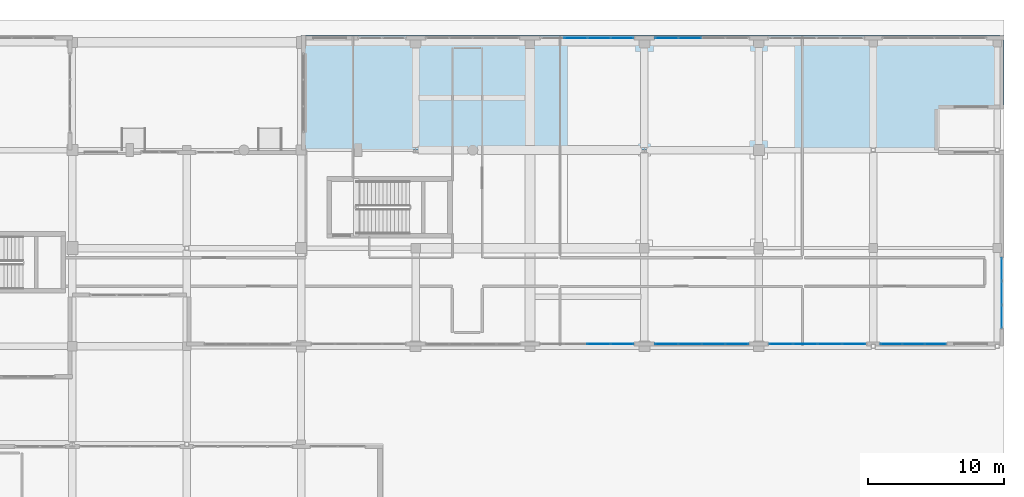
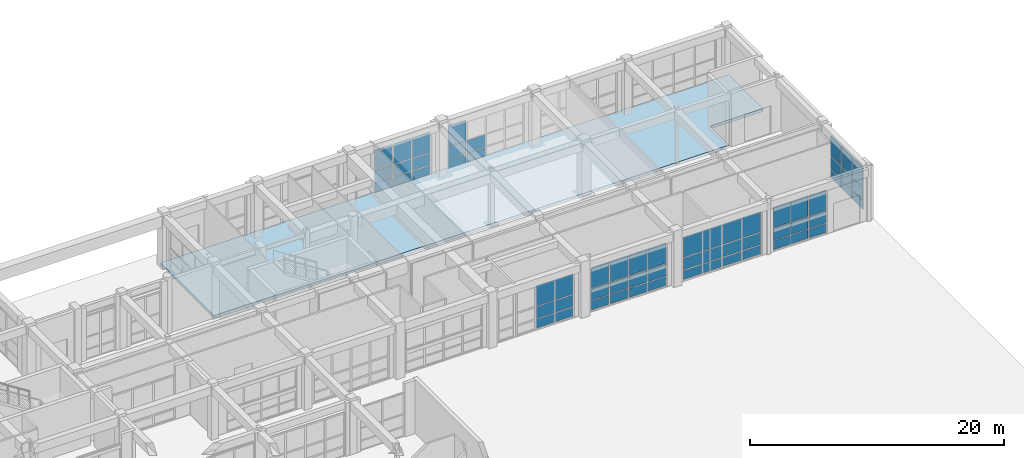
# One storey, part 122 of 148: 62 plates, 1 slab, 7 elements without a shape of their own.
"""IFC4 building model written with IfcOpenShell, lengths in metres."""

from ifc_helpers import new_model, si_unit, direction, frame, origin, origin_2d, place, context, subcontext, project, spatial, polyline, rectangle, outline, extrude, material, layer, layer_set, type_object, element, aggregate, save


model = new_model("IFC4")

# Units and contexts
model_context = context("Model", 3, precision=1e-05, world=origin(), true_north=direction((0.0, 1.0)))
body_context = subcontext(model_context, "Body", "Model", "MODEL_VIEW")
ifc_project = project(units=[si_unit("LENGTHUNIT", "METRE"), si_unit("AREAUNIT", "SQUARE_METRE"), si_unit("VOLUMEUNIT", "CUBIC_METRE"), si_unit("PLANEANGLEUNIT", "RADIAN"), si_unit("MASSUNIT", "GRAM", prefix="KILO")], contexts=[model_context])

# Site, building, storey
site_placement = place(None, origin())
site = spatial("IfcSite", under=ifc_project, at=site_placement, CompositionType="ELEMENT")
building_placement = place(site_placement, origin())
building = spatial("IfcBuilding", under=site, at=building_placement, Name="Quendrovan Civic Courthouse", CompositionType="ELEMENT")
storey_placement = place(building_placement, origin())
storey = spatial("IfcBuildingStorey", under=building, at=storey_placement, Name="L01", CompositionType="ELEMENT", Elevation=0.0)

# Curtain wall, plates
ifc_material_1 = material(Name="Bronze anodised aluminium and low-E glass", Category="aluminium")
ifc_layer_1 = layer(ifc_material_1, 0.179931640625, Name="Bronze anodised aluminium and low-E glass")
ifc_layer_set_1 = layer_set([ifc_layer_1], Name="Bronze anodised aluminium and low-E glass")
curtain_wall_type_1 = type_object("IfcCurtainWallType", Name="CW-U72x42", PredefinedType="USERDEFINED", material=ifc_layer_set_1)
curtain_wall_1_placement = place(storey_placement, origin())
curtain_wall_1 = element("IfcCurtainWall", 1, at=curtain_wall_1_placement, inside=storey, type_object=curtain_wall_type_1, Name="L01 Unitised Hurricane Curtain Wall CW-044", ObjectType="UNITISED CURTAIN WALL", PredefinedType="USERDEFINED")
ifc_material_2 = material(Name="Laminated hurricane-impact low-E glass", Category="glass")
ifc_layer_2 = layer(ifc_material_2, 0.028076171875, Name="Laminated hurricane-impact low-E glass")
ifc_layer_set_2 = layer_set([ifc_layer_2], Name="Laminated hurricane-impact low-E glass")
plate_type_1 = type_object("IfcPlateType", Name="CW-PNL-1", PredefinedType="CURTAIN_PANEL", material=ifc_layer_set_2)
plate_1_placement = place(storey_placement, frame((149.78564453125, 87.764892578125, 0.06982421875), z_axis=(0.0, 0.0, 1.0), x_axis=(-1.0, 0.0, 0.0)))
plate_1 = element("IfcPlate", 2, at=plate_1_placement, type_object=plate_type_1, Name="CW-044 panel 1.1", PredefinedType="CURTAIN_PANEL", context=body_context, shape_type="SweptSolid", body=[
    extrude(rectangle(XDim=1.688720703125, YDim=0.028076171875, at=origin_2d()), origin(), (0.0, 0.0, 1.0), 0.844970703125),
])
plate_2_placement = place(storey_placement, frame((149.78564453125, 87.764892578125, 0.985107421875), z_axis=(0.0, 0.0, 1.0), x_axis=(-1.0, 0.0, 0.0)))
plate_2 = element("IfcPlate", 3, at=plate_2_placement, type_object=plate_type_1, Name="CW-044 panel 1.2", PredefinedType="CURTAIN_PANEL", context=body_context, shape_type="SweptSolid", body=[
    extrude(rectangle(XDim=1.688720703125, YDim=0.028076171875, at=origin_2d()), origin(), (0.0, 0.0, 1.0), 1.1298828125),
])
plate_3_placement = place(storey_placement, frame((149.78564453125, 87.764892578125, 2.18505859375), z_axis=(0.0, 0.0, 1.0), x_axis=(-1.0, 0.0, 0.0)))
plate_3 = element("IfcPlate", 4, at=plate_3_placement, type_object=plate_type_1, Name="CW-044 panel 1.3", PredefinedType="CURTAIN_PANEL", context=body_context, shape_type="SweptSolid", body=[
    extrude(rectangle(XDim=1.688720703125, YDim=0.028076171875, at=origin_2d()), origin(), (0.0, 0.0, 1.0), 1.945068359375),
])
plate_4_placement = place(storey_placement, frame((148.00927734375, 87.764892578125, 0.06982421875), z_axis=(0.0, 0.0, 1.0), x_axis=(-1.0, 0.0, 0.0)))
plate_4 = element("IfcPlate", 5, at=plate_4_placement, type_object=plate_type_1, Name="CW-044 panel 2.1", PredefinedType="CURTAIN_PANEL", context=body_context, shape_type="SweptSolid", body=[
    extrude(rectangle(XDim=1.7236328125, YDim=0.028076171875, at=origin_2d()), origin(), (0.0, 0.0, 1.0), 0.844970703125),
])
plate_5_placement = place(storey_placement, frame((148.00927734375, 87.764892578125, 0.985107421875), z_axis=(0.0, 0.0, 1.0), x_axis=(-1.0, 0.0, 0.0)))
plate_5 = element("IfcPlate", 6, at=plate_5_placement, type_object=plate_type_1, Name="CW-044 panel 2.2", PredefinedType="CURTAIN_PANEL", context=body_context, shape_type="SweptSolid", body=[
    extrude(rectangle(XDim=1.7236328125, YDim=0.028076171875, at=origin_2d()), origin(), (0.0, 0.0, 1.0), 1.1298828125),
])
plate_6_placement = place(storey_placement, frame((148.00927734375, 87.764892578125, 2.18505859375), z_axis=(0.0, 0.0, 1.0), x_axis=(-1.0, 0.0, 0.0)))
plate_6 = element("IfcPlate", 7, at=plate_6_placement, type_object=plate_type_1, Name="CW-044 panel 2.3", PredefinedType="CURTAIN_PANEL", context=body_context, shape_type="SweptSolid", body=[
    extrude(rectangle(XDim=1.7236328125, YDim=0.028076171875, at=origin_2d()), origin(), (0.0, 0.0, 1.0), 1.945068359375),
])
plate_7_placement = place(storey_placement, frame((146.215576171875, 87.764892578125, 0.06982421875), z_axis=(0.0, 0.0, 1.0), x_axis=(-1.0, 0.0, 0.0)))
plate_7 = element("IfcPlate", 8, at=plate_7_placement, type_object=plate_type_1, Name="CW-044 panel 3.1", PredefinedType="CURTAIN_PANEL", context=body_context, shape_type="SweptSolid", body=[
    extrude(rectangle(XDim=1.7236328125, YDim=0.028076171875, at=origin_2d()), origin(), (0.0, 0.0, 1.0), 0.844970703125),
])
plate_8_placement = place(storey_placement, frame((146.215576171875, 87.764892578125, 0.985107421875), z_axis=(0.0, 0.0, 1.0), x_axis=(-1.0, 0.0, 0.0)))
plate_8 = element("IfcPlate", 9, at=plate_8_placement, type_object=plate_type_1, Name="CW-044 panel 3.2", PredefinedType="CURTAIN_PANEL", context=body_context, shape_type="SweptSolid", body=[
    extrude(rectangle(XDim=1.7236328125, YDim=0.028076171875, at=origin_2d()), origin(), (0.0, 0.0, 1.0), 1.1298828125),
])
plate_9_placement = place(storey_placement, frame((146.215576171875, 87.764892578125, 2.18505859375), z_axis=(0.0, 0.0, 1.0), x_axis=(-1.0, 0.0, 0.0)))
plate_9 = element("IfcPlate", 10, at=plate_9_placement, type_object=plate_type_1, Name="CW-044 panel 3.3", PredefinedType="CURTAIN_PANEL", context=body_context, shape_type="SweptSolid", body=[
    extrude(rectangle(XDim=1.7236328125, YDim=0.028076171875, at=origin_2d()), origin(), (0.0, 0.0, 1.0), 1.945068359375),
])
plate_10_placement = place(storey_placement, frame((144.439453125, 87.764892578125, 0.06982421875), z_axis=(0.0, 0.0, 1.0), x_axis=(-1.0, 0.0, 0.0)))
plate_10 = element("IfcPlate", 11, at=plate_10_placement, type_object=plate_type_1, Name="CW-044 panel 4.1", PredefinedType="CURTAIN_PANEL", context=body_context, shape_type="SweptSolid", body=[
    extrude(rectangle(XDim=1.688720703125, YDim=0.028076171875, at=origin_2d()), origin(), (0.0, 0.0, 1.0), 0.844970703125),
])
plate_11_placement = place(storey_placement, frame((144.439453125, 87.764892578125, 0.985107421875), z_axis=(0.0, 0.0, 1.0), x_axis=(-1.0, 0.0, 0.0)))
plate_11 = element("IfcPlate", 12, at=plate_11_placement, type_object=plate_type_1, Name="CW-044 panel 4.2", PredefinedType="CURTAIN_PANEL", context=body_context, shape_type="SweptSolid", body=[
    extrude(rectangle(XDim=1.688720703125, YDim=0.028076171875, at=origin_2d()), origin(), (0.0, 0.0, 1.0), 1.1298828125),
])
plate_12_placement = place(storey_placement, frame((144.439453125, 87.764892578125, 2.18505859375), z_axis=(0.0, 0.0, 1.0), x_axis=(-1.0, 0.0, 0.0)))
plate_12 = element("IfcPlate", 13, at=plate_12_placement, type_object=plate_type_1, Name="CW-044 panel 4.3", PredefinedType="CURTAIN_PANEL", context=body_context, shape_type="SweptSolid", body=[
    extrude(rectangle(XDim=1.688720703125, YDim=0.028076171875, at=origin_2d()), origin(), (0.0, 0.0, 1.0), 1.945068359375),
])
aggregate(curtain_wall_1, [plate_1, plate_2, plate_3, plate_4, plate_5, plate_6, plate_7, plate_8, plate_9, plate_10, plate_11, plate_12])

ifc_layer_3 = layer(ifc_material_1, 0.179931640625, Name="Bronze anodised aluminium and low-E glass")
ifc_layer_set_3 = layer_set([ifc_layer_3], Name="Bronze anodised aluminium and low-E glass")
curtain_wall_type_2 = type_object("IfcCurtainWallType", Name="CW-U69x42", PredefinedType="USERDEFINED", material=ifc_layer_set_3)
curtain_wall_2_placement = place(storey_placement, origin())
curtain_wall_2 = element("IfcCurtainWall", 14, at=curtain_wall_2_placement, inside=storey, type_object=curtain_wall_type_2, Name="L01 Unitised Hurricane Curtain Wall CW-045", ObjectType="UNITISED CURTAIN WALL", PredefinedType="USERDEFINED")
ifc_layer_4 = layer(ifc_material_2, 0.031982421875, Name="Laminated hurricane-impact low-E glass")
ifc_layer_set_4 = layer_set([ifc_layer_4], Name="Laminated hurricane-impact low-E glass")
plate_type_2 = type_object("IfcPlateType", Name="CW-PNL-2", PredefinedType="CURTAIN_PANEL", material=ifc_layer_set_4)
plate_13_placement = place(storey_placement, frame((141.193115234375, 87.764892578125, 0.06494140625), z_axis=(0.0, 0.0, 1.0), x_axis=(-1.0, 0.0, 0.0)))
plate_13 = element("IfcPlate", 15, at=plate_13_placement, type_object=plate_type_2, Name="CW-045 panel 1.1", PredefinedType="CURTAIN_PANEL", context=body_context, shape_type="SweptSolid", body=[
    extrude(rectangle(XDim=1.6337890625, YDim=0.031982421875, at=origin_2d()), origin(), (0.0, 0.0, 1.0), 0.8525390625),
])
plate_14_placement = place(storey_placement, frame((141.193115234375, 87.764892578125, 0.982421875), z_axis=(0.0, 0.0, 1.0), x_axis=(-1.0, 0.0, 0.0)))
plate_14 = element("IfcPlate", 16, at=plate_14_placement, type_object=plate_type_2, Name="CW-045 panel 1.2", PredefinedType="CURTAIN_PANEL", context=body_context, shape_type="SweptSolid", body=[
    extrude(rectangle(XDim=1.6337890625, YDim=0.031982421875, at=origin_2d()), origin(), (0.0, 0.0, 1.0), 1.135009765625),
])
plate_15_placement = place(storey_placement, frame((141.193115234375, 87.764892578125, 2.1826171875), z_axis=(0.0, 0.0, 1.0), x_axis=(-1.0, 0.0, 0.0)))
plate_15 = element("IfcPlate", 17, at=plate_15_placement, type_object=plate_type_2, Name="CW-045 panel 1.3", PredefinedType="CURTAIN_PANEL", context=body_context, shape_type="SweptSolid", body=[
    extrude(rectangle(XDim=1.6337890625, YDim=0.031982421875, at=origin_2d()), origin(), (0.0, 0.0, 1.0), 1.952392578125),
])
plate_16_placement = place(storey_placement, frame((139.47802734375, 87.764892578125, 0.06494140625), z_axis=(0.0, 0.0, 1.0), x_axis=(-1.0, 0.0, 0.0)))
plate_16 = element("IfcPlate", 18, at=plate_16_placement, type_object=plate_type_2, Name="CW-045 panel 2.1", PredefinedType="CURTAIN_PANEL", context=body_context, shape_type="SweptSolid", body=[
    extrude(rectangle(XDim=1.666259765625, YDim=0.031982421875, at=origin_2d()), origin(), (0.0, 0.0, 1.0), 0.8525390625),
])
plate_17_placement = place(storey_placement, frame((139.47802734375, 87.764892578125, 0.982421875), z_axis=(0.0, 0.0, 1.0), x_axis=(-1.0, 0.0, 0.0)))
plate_17 = element("IfcPlate", 19, at=plate_17_placement, type_object=plate_type_2, Name="CW-045 panel 2.2", PredefinedType="CURTAIN_PANEL", context=body_context, shape_type="SweptSolid", body=[
    extrude(rectangle(XDim=1.666259765625, YDim=0.031982421875, at=origin_2d()), origin(), (0.0, 0.0, 1.0), 1.135009765625),
])
plate_18_placement = place(storey_placement, frame((139.47802734375, 87.764892578125, 2.1826171875), z_axis=(0.0, 0.0, 1.0), x_axis=(-1.0, 0.0, 0.0)))
plate_18 = element("IfcPlate", 20, at=plate_18_placement, type_object=plate_type_2, Name="CW-045 panel 2.3", PredefinedType="CURTAIN_PANEL", context=body_context, shape_type="SweptSolid", body=[
    extrude(rectangle(XDim=1.666259765625, YDim=0.031982421875, at=origin_2d()), origin(), (0.0, 0.0, 1.0), 1.952392578125),
])
plate_19_placement = place(storey_placement, frame((137.746826171875, 87.764892578125, 0.06494140625), z_axis=(0.0, 0.0, 1.0), x_axis=(-1.0, 0.0, 0.0)))
plate_19 = element("IfcPlate", 21, at=plate_19_placement, type_object=plate_type_2, Name="CW-045 panel 3.1", PredefinedType="CURTAIN_PANEL", context=body_context, shape_type="SweptSolid", body=[
    extrude(rectangle(XDim=1.666259765625, YDim=0.031982421875, at=origin_2d()), origin(), (0.0, 0.0, 1.0), 0.8525390625),
])
plate_20_placement = place(storey_placement, frame((137.746826171875, 87.764892578125, 0.982421875), z_axis=(0.0, 0.0, 1.0), x_axis=(-1.0, 0.0, 0.0)))
plate_20 = element("IfcPlate", 22, at=plate_20_placement, type_object=plate_type_2, Name="CW-045 panel 3.2", PredefinedType="CURTAIN_PANEL", context=body_context, shape_type="SweptSolid", body=[
    extrude(rectangle(XDim=1.666259765625, YDim=0.031982421875, at=origin_2d()), origin(), (0.0, 0.0, 1.0), 1.135009765625),
])
plate_21_placement = place(storey_placement, frame((137.746826171875, 87.764892578125, 2.1826171875), z_axis=(0.0, 0.0, 1.0), x_axis=(-1.0, 0.0, 0.0)))
plate_21 = element("IfcPlate", 23, at=plate_21_placement, type_object=plate_type_2, Name="CW-045 panel 3.3", PredefinedType="CURTAIN_PANEL", context=body_context, shape_type="SweptSolid", body=[
    extrude(rectangle(XDim=1.666259765625, YDim=0.031982421875, at=origin_2d()), origin(), (0.0, 0.0, 1.0), 1.952392578125),
])
plate_22_placement = place(storey_placement, frame((136.031982421875, 87.764892578125, 0.06494140625), z_axis=(0.0, 0.0, 1.0), x_axis=(-1.0, 0.0, 0.0)))
plate_22 = element("IfcPlate", 24, at=plate_22_placement, type_object=plate_type_2, Name="CW-045 panel 4.1", PredefinedType="CURTAIN_PANEL", context=body_context, shape_type="SweptSolid", body=[
    extrude(rectangle(XDim=1.6337890625, YDim=0.031982421875, at=origin_2d()), origin(), (0.0, 0.0, 1.0), 0.8525390625),
])
plate_23_placement = place(storey_placement, frame((136.031982421875, 87.764892578125, 0.982421875), z_axis=(0.0, 0.0, 1.0), x_axis=(-1.0, 0.0, 0.0)))
plate_23 = element("IfcPlate", 25, at=plate_23_placement, type_object=plate_type_2, Name="CW-045 panel 4.2", PredefinedType="CURTAIN_PANEL", context=body_context, shape_type="SweptSolid", body=[
    extrude(rectangle(XDim=1.6337890625, YDim=0.031982421875, at=origin_2d()), origin(), (0.0, 0.0, 1.0), 1.135009765625),
])
plate_24_placement = place(storey_placement, frame((136.031982421875, 87.764892578125, 2.1826171875), z_axis=(0.0, 0.0, 1.0), x_axis=(-1.0, 0.0, 0.0)))
plate_24 = element("IfcPlate", 26, at=plate_24_placement, type_object=plate_type_2, Name="CW-045 panel 4.3", PredefinedType="CURTAIN_PANEL", context=body_context, shape_type="SweptSolid", body=[
    extrude(rectangle(XDim=1.6337890625, YDim=0.031982421875, at=origin_2d()), origin(), (0.0, 0.0, 1.0), 1.952392578125),
])
aggregate(curtain_wall_2, [plate_13, plate_14, plate_15, plate_16, plate_17, plate_18, plate_19, plate_20, plate_21, plate_22, plate_23, plate_24])

curtain_wall_3_placement = place(storey_placement, origin())
curtain_wall_3 = element("IfcCurtainWall", 27, at=curtain_wall_3_placement, inside=storey, type_object=curtain_wall_type_2, Name="L01 Unitised Hurricane Curtain Wall CW-038", ObjectType="UNITISED CURTAIN WALL", PredefinedType="USERDEFINED")
ifc_layer_5 = layer(ifc_material_2, 0.035888671875, Name="Laminated hurricane-impact low-E glass")
ifc_layer_set_5 = layer_set([ifc_layer_5], Name="Laminated hurricane-impact low-E glass")
plate_type_3 = type_object("IfcPlateType", Name="CW-PNL-3", PredefinedType="CURTAIN_PANEL", material=ifc_layer_set_5)
plate_25_placement = place(storey_placement, frame((129.35302734375, 110.235107421875, 0.06982421875), z_axis=(0.0, 0.0, 1.0), x_axis=(1.0, 0.0, 0.0)))
plate_25 = element("IfcPlate", 28, at=plate_25_placement, type_object=plate_type_3, Name="CW-038 panel 2.1", PredefinedType="CURTAIN_PANEL", context=body_context, shape_type="SweptSolid", body=[
    extrude(rectangle(XDim=1.648681640625, YDim=0.035888671875, at=origin_2d()), origin(), (0.0, 0.0, 1.0), 0.844970703125),
])
plate_26_placement = place(storey_placement, frame((129.35302734375, 110.235107421875, 0.985107421875), z_axis=(0.0, 0.0, 1.0), x_axis=(1.0, 0.0, 0.0)))
plate_26 = element("IfcPlate", 29, at=plate_26_placement, type_object=plate_type_3, Name="CW-038 panel 2.2", PredefinedType="CURTAIN_PANEL", context=body_context, shape_type="SweptSolid", body=[
    extrude(rectangle(XDim=1.648681640625, YDim=0.035888671875, at=origin_2d()), origin(), (0.0, 0.0, 1.0), 1.1298828125),
])
plate_27_placement = place(storey_placement, frame((129.35302734375, 110.235107421875, 2.18505859375), z_axis=(0.0, 0.0, 1.0), x_axis=(1.0, 0.0, 0.0)))
plate_27 = element("IfcPlate", 30, at=plate_27_placement, type_object=plate_type_3, Name="CW-038 panel 2.3", PredefinedType="CURTAIN_PANEL", context=body_context, shape_type="SweptSolid", body=[
    extrude(rectangle(XDim=1.648681640625, YDim=0.035888671875, at=origin_2d()), origin(), (0.0, 0.0, 1.0), 1.945068359375),
])
plate_28_placement = place(storey_placement, frame((131.07177734375, 110.235107421875, 0.06982421875), z_axis=(0.0, 0.0, 1.0), x_axis=(1.0, 0.0, 0.0)))
plate_28 = element("IfcPlate", 31, at=plate_28_placement, type_object=plate_type_3, Name="CW-038 panel 3.1", PredefinedType="CURTAIN_PANEL", context=body_context, shape_type="SweptSolid", body=[
    extrude(rectangle(XDim=1.648681640625, YDim=0.035888671875, at=origin_2d()), origin(), (0.0, 0.0, 1.0), 0.844970703125),
])
plate_29_placement = place(storey_placement, frame((131.07177734375, 110.235107421875, 0.985107421875), z_axis=(0.0, 0.0, 1.0), x_axis=(1.0, 0.0, 0.0)))
plate_29 = element("IfcPlate", 32, at=plate_29_placement, type_object=plate_type_3, Name="CW-038 panel 3.2", PredefinedType="CURTAIN_PANEL", context=body_context, shape_type="SweptSolid", body=[
    extrude(rectangle(XDim=1.648681640625, YDim=0.035888671875, at=origin_2d()), origin(), (0.0, 0.0, 1.0), 1.1298828125),
])
plate_30_placement = place(storey_placement, frame((131.07177734375, 110.235107421875, 2.18505859375), z_axis=(0.0, 0.0, 1.0), x_axis=(1.0, 0.0, 0.0)))
plate_30 = element("IfcPlate", 33, at=plate_30_placement, type_object=plate_type_3, Name="CW-038 panel 3.3", PredefinedType="CURTAIN_PANEL", context=body_context, shape_type="SweptSolid", body=[
    extrude(rectangle(XDim=1.648681640625, YDim=0.035888671875, at=origin_2d()), origin(), (0.0, 0.0, 1.0), 1.945068359375),
])
plate_31_placement = place(storey_placement, frame((132.773193359375, 110.235107421875, 0.06982421875), z_axis=(0.0, 0.0, 1.0), x_axis=(1.0, 0.0, 0.0)))
plate_31 = element("IfcPlate", 34, at=plate_31_placement, type_object=plate_type_3, Name="CW-038 panel 4.1", PredefinedType="CURTAIN_PANEL", context=body_context, shape_type="SweptSolid", body=[
    extrude(rectangle(XDim=1.61376953125, YDim=0.035888671875, at=origin_2d()), origin(), (0.0, 0.0, 1.0), 0.844970703125),
])
plate_32_placement = place(storey_placement, frame((132.773193359375, 110.235107421875, 0.985107421875), z_axis=(0.0, 0.0, 1.0), x_axis=(1.0, 0.0, 0.0)))
plate_32 = element("IfcPlate", 35, at=plate_32_placement, type_object=plate_type_3, Name="CW-038 panel 4.2", PredefinedType="CURTAIN_PANEL", context=body_context, shape_type="SweptSolid", body=[
    extrude(rectangle(XDim=1.61376953125, YDim=0.035888671875, at=origin_2d()), origin(), (0.0, 0.0, 1.0), 1.1298828125),
])
plate_33_placement = place(storey_placement, frame((132.773193359375, 110.235107421875, 2.18505859375), z_axis=(0.0, 0.0, 1.0), x_axis=(1.0, 0.0, 0.0)))
plate_33 = element("IfcPlate", 36, at=plate_33_placement, type_object=plate_type_3, Name="CW-038 panel 4.3", PredefinedType="CURTAIN_PANEL", context=body_context, shape_type="SweptSolid", body=[
    extrude(rectangle(XDim=1.61376953125, YDim=0.035888671875, at=origin_2d()), origin(), (0.0, 0.0, 1.0), 1.945068359375),
])
aggregate(curtain_wall_3, [plate_25, plate_26, plate_27, plate_28, plate_29, plate_30, plate_31, plate_32, plate_33])

ifc_layer_6 = layer(ifc_material_1, 0.179931640625, Name="Bronze anodised aluminium and low-E glass")
ifc_layer_set_6 = layer_set([ifc_layer_6], Name="Bronze anodised aluminium and low-E glass")
curtain_wall_type_3 = type_object("IfcCurtainWallType", Name="CW-U52x42", PredefinedType="USERDEFINED", material=ifc_layer_set_6)
curtain_wall_4_placement = place(storey_placement, origin())
curtain_wall_4 = element("IfcCurtainWall", 37, at=curtain_wall_4_placement, inside=storey, type_object=curtain_wall_type_3, Name="L01 Unitised Hurricane Curtain Wall CW-042", ObjectType="UNITISED CURTAIN WALL", PredefinedType="USERDEFINED")
plate_34_placement = place(storey_placement, frame((160.635009765625, 93.236572265625, 0.06982421875), z_axis=(0.0, 0.0, 1.0), x_axis=(0.0, -1.0, 0.0)))
plate_34 = element("IfcPlate", 38, at=plate_34_placement, type_object=plate_type_3, Name="CW-042 panel 1.1", PredefinedType="CURTAIN_PANEL", context=body_context, shape_type="SweptSolid", body=[
    extrude(rectangle(XDim=1.63671875, YDim=0.035888671875, at=origin_2d()), origin(), (0.0, 0.0, 1.0), 0.844970703125),
])
plate_35_placement = place(storey_placement, frame((160.635009765625, 93.236572265625, 0.985107421875), z_axis=(0.0, 0.0, 1.0), x_axis=(0.0, -1.0, 0.0)))
plate_35 = element("IfcPlate", 39, at=plate_35_placement, type_object=plate_type_3, Name="CW-042 panel 1.2", PredefinedType="CURTAIN_PANEL", context=body_context, shape_type="SweptSolid", body=[
    extrude(rectangle(XDim=1.63671875, YDim=0.035888671875, at=origin_2d()), origin(), (0.0, 0.0, 1.0), 1.1298828125),
])
plate_36_placement = place(storey_placement, frame((160.635009765625, 93.236572265625, 2.18505859375), z_axis=(0.0, 0.0, 1.0), x_axis=(0.0, -1.0, 0.0)))
plate_36 = element("IfcPlate", 40, at=plate_36_placement, type_object=plate_type_3, Name="CW-042 panel 1.3", PredefinedType="CURTAIN_PANEL", context=body_context, shape_type="SweptSolid", body=[
    extrude(rectangle(XDim=1.63671875, YDim=0.035888671875, at=origin_2d()), origin(), (0.0, 0.0, 1.0), 1.945068359375),
])
plate_37_placement = place(storey_placement, frame((160.635009765625, 91.512451171875, 0.06982421875), z_axis=(0.0, 0.0, 1.0), x_axis=(0.0, -1.0, 0.0)))
plate_37 = element("IfcPlate", 41, at=plate_37_placement, type_object=plate_type_3, Name="CW-042 panel 2.1", PredefinedType="CURTAIN_PANEL", context=body_context, shape_type="SweptSolid", body=[
    extrude(rectangle(XDim=1.671630859375, YDim=0.035888671875, at=origin_2d()), origin(), (0.0, 0.0, 1.0), 0.844970703125),
])
plate_38_placement = place(storey_placement, frame((160.635009765625, 91.512451171875, 0.985107421875), z_axis=(0.0, 0.0, 1.0), x_axis=(0.0, -1.0, 0.0)))
plate_38 = element("IfcPlate", 42, at=plate_38_placement, type_object=plate_type_3, Name="CW-042 panel 2.2", PredefinedType="CURTAIN_PANEL", context=body_context, shape_type="SweptSolid", body=[
    extrude(rectangle(XDim=1.671630859375, YDim=0.035888671875, at=origin_2d()), origin(), (0.0, 0.0, 1.0), 1.1298828125),
])
plate_39_placement = place(storey_placement, frame((160.635009765625, 91.512451171875, 2.18505859375), z_axis=(0.0, 0.0, 1.0), x_axis=(0.0, -1.0, 0.0)))
plate_39 = element("IfcPlate", 43, at=plate_39_placement, type_object=plate_type_3, Name="CW-042 panel 2.3", PredefinedType="CURTAIN_PANEL", context=body_context, shape_type="SweptSolid", body=[
    extrude(rectangle(XDim=1.671630859375, YDim=0.035888671875, at=origin_2d()), origin(), (0.0, 0.0, 1.0), 1.945068359375),
])
plate_40_placement = place(storey_placement, frame((160.635009765625, 89.788330078125, 0.06982421875), z_axis=(0.0, 0.0, 1.0), x_axis=(0.0, -1.0, 0.0)))
plate_40 = element("IfcPlate", 44, at=plate_40_placement, type_object=plate_type_3, Name="CW-042 panel 3.1", PredefinedType="CURTAIN_PANEL", context=body_context, shape_type="SweptSolid", body=[
    extrude(rectangle(XDim=1.63671875, YDim=0.035888671875, at=origin_2d()), origin(), (0.0, 0.0, 1.0), 0.844970703125),
])
plate_41_placement = place(storey_placement, frame((160.635009765625, 89.788330078125, 0.985107421875), z_axis=(0.0, 0.0, 1.0), x_axis=(0.0, -1.0, 0.0)))
plate_41 = element("IfcPlate", 45, at=plate_41_placement, type_object=plate_type_3, Name="CW-042 panel 3.2", PredefinedType="CURTAIN_PANEL", context=body_context, shape_type="SweptSolid", body=[
    extrude(rectangle(XDim=1.63671875, YDim=0.035888671875, at=origin_2d()), origin(), (0.0, 0.0, 1.0), 1.1298828125),
])
plate_42_placement = place(storey_placement, frame((160.635009765625, 89.788330078125, 2.18505859375), z_axis=(0.0, 0.0, 1.0), x_axis=(0.0, -1.0, 0.0)))
plate_42 = element("IfcPlate", 46, at=plate_42_placement, type_object=plate_type_3, Name="CW-042 panel 3.3", PredefinedType="CURTAIN_PANEL", context=body_context, shape_type="SweptSolid", body=[
    extrude(rectangle(XDim=1.63671875, YDim=0.035888671875, at=origin_2d()), origin(), (0.0, 0.0, 1.0), 1.945068359375),
])
aggregate(curtain_wall_4, [plate_34, plate_35, plate_36, plate_37, plate_38, plate_39, plate_40, plate_41, plate_42])

curtain_wall_5_placement = place(storey_placement, origin())
curtain_wall_5 = element("IfcCurtainWall", 47, at=curtain_wall_5_placement, inside=storey, type_object=curtain_wall_type_2, Name="L01 Unitised Hurricane Curtain Wall CW-046", ObjectType="UNITISED CURTAIN WALL", PredefinedType="USERDEFINED")
plate_43_placement = place(storey_placement, frame((132.766845703125, 87.764892578125, 0.06982421875), z_axis=(0.0, 0.0, 1.0), x_axis=(-1.0, 0.0, 0.0)))
plate_43 = element("IfcPlate", 48, at=plate_43_placement, type_object=plate_type_3, Name="CW-046 panel 1.1", PredefinedType="CURTAIN_PANEL", context=body_context, shape_type="SweptSolid", body=[
    extrude(rectangle(XDim=1.626220703125, YDim=0.035888671875, at=origin_2d()), origin(), (0.0, 0.0, 1.0), 0.844970703125),
])
plate_44_placement = place(storey_placement, frame((132.766845703125, 87.764892578125, 0.985107421875), z_axis=(0.0, 0.0, 1.0), x_axis=(-1.0, 0.0, 0.0)))
plate_44 = element("IfcPlate", 49, at=plate_44_placement, type_object=plate_type_3, Name="CW-046 panel 1.2", PredefinedType="CURTAIN_PANEL", context=body_context, shape_type="SweptSolid", body=[
    extrude(rectangle(XDim=1.626220703125, YDim=0.035888671875, at=origin_2d()), origin(), (0.0, 0.0, 1.0), 1.1298828125),
])
plate_45_placement = place(storey_placement, frame((132.766845703125, 87.764892578125, 2.18505859375), z_axis=(0.0, 0.0, 1.0), x_axis=(-1.0, 0.0, 0.0)))
plate_45 = element("IfcPlate", 50, at=plate_45_placement, type_object=plate_type_3, Name="CW-046 panel 1.3", PredefinedType="CURTAIN_PANEL", context=body_context, shape_type="SweptSolid", body=[
    extrude(rectangle(XDim=1.626220703125, YDim=0.035888671875, at=origin_2d()), origin(), (0.0, 0.0, 1.0), 1.945068359375),
])
plate_46_placement = place(storey_placement, frame((131.05322265625, 87.764892578125, 0.06982421875), z_axis=(0.0, 0.0, 1.0), x_axis=(-1.0, 0.0, 0.0)))
plate_46 = element("IfcPlate", 51, at=plate_46_placement, type_object=plate_type_3, Name="CW-046 panel 2.1", PredefinedType="CURTAIN_PANEL", context=body_context, shape_type="SweptSolid", body=[
    extrude(rectangle(XDim=1.6611328125, YDim=0.035888671875, at=origin_2d()), origin(), (0.0, 0.0, 1.0), 0.844970703125),
])
plate_47_placement = place(storey_placement, frame((131.05322265625, 87.764892578125, 0.985107421875), z_axis=(0.0, 0.0, 1.0), x_axis=(-1.0, 0.0, 0.0)))
plate_47 = element("IfcPlate", 52, at=plate_47_placement, type_object=plate_type_3, Name="CW-046 panel 2.2", PredefinedType="CURTAIN_PANEL", context=body_context, shape_type="SweptSolid", body=[
    extrude(rectangle(XDim=1.6611328125, YDim=0.035888671875, at=origin_2d()), origin(), (0.0, 0.0, 1.0), 1.1298828125),
])
plate_48_placement = place(storey_placement, frame((131.05322265625, 87.764892578125, 2.18505859375), z_axis=(0.0, 0.0, 1.0), x_axis=(-1.0, 0.0, 0.0)))
plate_48 = element("IfcPlate", 53, at=plate_48_placement, type_object=plate_type_3, Name="CW-046 panel 2.3", PredefinedType="CURTAIN_PANEL", context=body_context, shape_type="SweptSolid", body=[
    extrude(rectangle(XDim=1.6611328125, YDim=0.035888671875, at=origin_2d()), origin(), (0.0, 0.0, 1.0), 1.945068359375),
])
aggregate(curtain_wall_5, [plate_43, plate_44, plate_45, plate_46, plate_47, plate_48])

curtain_wall_6_placement = place(storey_placement, origin())
curtain_wall_6 = element("IfcCurtainWall", 54, at=curtain_wall_6_placement, inside=storey, type_object=curtain_wall_type_2, Name="L01 Unitised Hurricane Curtain Wall CW-039", ObjectType="UNITISED CURTAIN WALL", PredefinedType="USERDEFINED")
ifc_layer_7 = layer(ifc_material_2, 0.0419921875, Name="Laminated hurricane-impact low-E glass")
ifc_layer_set_7 = layer_set([ifc_layer_7], Name="Laminated hurricane-impact low-E glass")
plate_type_4 = type_object("IfcPlateType", Name="CW-PNL-4", PredefinedType="CURTAIN_PANEL", material=ifc_layer_set_7)
plate_49_placement = place(storey_placement, frame((136.031982421875, 110.235107421875, 0.06494140625), z_axis=(0.0, 0.0, 1.0), x_axis=(1.0, 0.0, 0.0)))
plate_49 = element("IfcPlate", 55, at=plate_49_placement, type_object=plate_type_4, Name="CW-039 panel 1.1", PredefinedType="CURTAIN_PANEL", context=body_context, shape_type="SweptSolid", body=[
    extrude(rectangle(XDim=1.6337890625, YDim=0.0419921875, at=origin_2d()), origin(), (0.0, 0.0, 1.0), 0.8525390625),
])
plate_50_placement = place(storey_placement, frame((136.031982421875, 110.235107421875, 0.982421875), z_axis=(0.0, 0.0, 1.0), x_axis=(1.0, 0.0, 0.0)))
plate_50 = element("IfcPlate", 56, at=plate_50_placement, type_object=plate_type_4, Name="CW-039 panel 1.2", PredefinedType="CURTAIN_PANEL", context=body_context, shape_type="SweptSolid", body=[
    extrude(rectangle(XDim=1.6337890625, YDim=0.0419921875, at=origin_2d()), origin(), (0.0, 0.0, 1.0), 1.135009765625),
])
plate_51_placement = place(storey_placement, frame((136.031982421875, 110.235107421875, 2.1826171875), z_axis=(0.0, 0.0, 1.0), x_axis=(1.0, 0.0, 0.0)))
plate_51 = element("IfcPlate", 57, at=plate_51_placement, type_object=plate_type_4, Name="CW-039 panel 1.3", PredefinedType="CURTAIN_PANEL", context=body_context, shape_type="SweptSolid", body=[
    extrude(rectangle(XDim=1.6337890625, YDim=0.0419921875, at=origin_2d()), origin(), (0.0, 0.0, 1.0), 1.952392578125),
])
plate_52_placement = place(storey_placement, frame((137.746826171875, 110.235107421875, 0.06494140625), z_axis=(0.0, 0.0, 1.0), x_axis=(1.0, 0.0, 0.0)))
plate_52 = element("IfcPlate", 58, at=plate_52_placement, type_object=plate_type_4, Name="CW-039 panel 2.1", PredefinedType="CURTAIN_PANEL", context=body_context, shape_type="SweptSolid", body=[
    extrude(rectangle(XDim=1.666259765625, YDim=0.0419921875, at=origin_2d()), origin(), (0.0, 0.0, 1.0), 0.8525390625),
])
plate_53_placement = place(storey_placement, frame((137.746826171875, 110.235107421875, 0.982421875), z_axis=(0.0, 0.0, 1.0), x_axis=(1.0, 0.0, 0.0)))
plate_53 = element("IfcPlate", 59, at=plate_53_placement, type_object=plate_type_4, Name="CW-039 panel 2.2", PredefinedType="CURTAIN_PANEL", context=body_context, shape_type="SweptSolid", body=[
    extrude(rectangle(XDim=1.666259765625, YDim=0.0419921875, at=origin_2d()), origin(), (0.0, 0.0, 1.0), 1.135009765625),
])
aggregate(curtain_wall_6, [plate_49, plate_50, plate_51, plate_52, plate_53])

ifc_layer_8 = layer(ifc_material_1, 0.179931640625, Name="Bronze anodised aluminium and low-E glass")
ifc_layer_set_8 = layer_set([ifc_layer_8], Name="Bronze anodised aluminium and low-E glass")
curtain_wall_type_4 = type_object("IfcCurtainWallType", Name="CW-U49x42", PredefinedType="USERDEFINED", material=ifc_layer_set_8)
curtain_wall_7_placement = place(storey_placement, origin())
curtain_wall_7 = element("IfcCurtainWall", 60, at=curtain_wall_7_placement, inside=storey, type_object=curtain_wall_type_4, Name="L01 Unitised Hurricane Curtain Wall CW-043", ObjectType="UNITISED CURTAIN WALL", PredefinedType="USERDEFINED")
plate_54_placement = place(storey_placement, frame((155.76708984375, 87.764892578125, 0.06494140625), z_axis=(0.0, 0.0, 1.0), x_axis=(-1.0, 0.0, 0.0)))
plate_54 = element("IfcPlate", 61, at=plate_54_placement, type_object=plate_type_4, Name="CW-043 panel 1.1", PredefinedType="CURTAIN_PANEL", context=body_context, shape_type="SweptSolid", body=[
    extrude(rectangle(XDim=1.535888671875, YDim=0.0419921875, at=origin_2d()), origin(), (0.0, 0.0, 1.0), 0.8525390625),
])
plate_55_placement = place(storey_placement, frame((155.76708984375, 87.764892578125, 0.982421875), z_axis=(0.0, 0.0, 1.0), x_axis=(-1.0, 0.0, 0.0)))
plate_55 = element("IfcPlate", 62, at=plate_55_placement, type_object=plate_type_4, Name="CW-043 panel 1.2", PredefinedType="CURTAIN_PANEL", context=body_context, shape_type="SweptSolid", body=[
    extrude(rectangle(XDim=1.535888671875, YDim=0.0419921875, at=origin_2d()), origin(), (0.0, 0.0, 1.0), 1.135009765625),
])
plate_56_placement = place(storey_placement, frame((155.76708984375, 87.764892578125, 2.1826171875), z_axis=(0.0, 0.0, 1.0), x_axis=(-1.0, 0.0, 0.0)))
plate_56 = element("IfcPlate", 63, at=plate_56_placement, type_object=plate_type_4, Name="CW-043 panel 1.3", PredefinedType="CURTAIN_PANEL", context=body_context, shape_type="SweptSolid", body=[
    extrude(rectangle(XDim=1.535888671875, YDim=0.0419921875, at=origin_2d()), origin(), (0.0, 0.0, 1.0), 1.952392578125),
])
plate_57_placement = place(storey_placement, frame((154.14990234375, 87.764892578125, 0.06494140625), z_axis=(0.0, 0.0, 1.0), x_axis=(-1.0, 0.0, 0.0)))
plate_57 = element("IfcPlate", 64, at=plate_57_placement, type_object=plate_type_4, Name="CW-043 panel 2.1", PredefinedType="CURTAIN_PANEL", context=body_context, shape_type="SweptSolid", body=[
    extrude(rectangle(XDim=1.568359375, YDim=0.0419921875, at=origin_2d()), origin(), (0.0, 0.0, 1.0), 0.8525390625),
])
plate_58_placement = place(storey_placement, frame((154.14990234375, 87.764892578125, 0.982421875), z_axis=(0.0, 0.0, 1.0), x_axis=(-1.0, 0.0, 0.0)))
plate_58 = element("IfcPlate", 65, at=plate_58_placement, type_object=plate_type_4, Name="CW-043 panel 2.2", PredefinedType="CURTAIN_PANEL", context=body_context, shape_type="SweptSolid", body=[
    extrude(rectangle(XDim=1.568359375, YDim=0.0419921875, at=origin_2d()), origin(), (0.0, 0.0, 1.0), 1.135009765625),
])
plate_59_placement = place(storey_placement, frame((154.14990234375, 87.764892578125, 2.1826171875), z_axis=(0.0, 0.0, 1.0), x_axis=(-1.0, 0.0, 0.0)))
plate_59 = element("IfcPlate", 66, at=plate_59_placement, type_object=plate_type_4, Name="CW-043 panel 2.3", PredefinedType="CURTAIN_PANEL", context=body_context, shape_type="SweptSolid", body=[
    extrude(rectangle(XDim=1.568359375, YDim=0.0419921875, at=origin_2d()), origin(), (0.0, 0.0, 1.0), 1.952392578125),
])
plate_60_placement = place(storey_placement, frame((152.532958984375, 87.764892578125, 0.06494140625), z_axis=(0.0, 0.0, 1.0), x_axis=(-1.0, 0.0, 0.0)))
plate_60 = element("IfcPlate", 67, at=plate_60_placement, type_object=plate_type_4, Name="CW-043 panel 3.1", PredefinedType="CURTAIN_PANEL", context=body_context, shape_type="SweptSolid", body=[
    extrude(rectangle(XDim=1.535888671875, YDim=0.0419921875, at=origin_2d()), origin(), (0.0, 0.0, 1.0), 0.8525390625),
])
plate_61_placement = place(storey_placement, frame((152.532958984375, 87.764892578125, 0.982421875), z_axis=(0.0, 0.0, 1.0), x_axis=(-1.0, 0.0, 0.0)))
plate_61 = element("IfcPlate", 68, at=plate_61_placement, type_object=plate_type_4, Name="CW-043 panel 3.2", PredefinedType="CURTAIN_PANEL", context=body_context, shape_type="SweptSolid", body=[
    extrude(rectangle(XDim=1.535888671875, YDim=0.0419921875, at=origin_2d()), origin(), (0.0, 0.0, 1.0), 1.135009765625),
])
plate_62_placement = place(storey_placement, frame((152.532958984375, 87.764892578125, 2.1826171875), z_axis=(0.0, 0.0, 1.0), x_axis=(-1.0, 0.0, 0.0)))
plate_62 = element("IfcPlate", 69, at=plate_62_placement, type_object=plate_type_4, Name="CW-043 panel 3.3", PredefinedType="CURTAIN_PANEL", context=body_context, shape_type="SweptSolid", body=[
    extrude(rectangle(XDim=1.535888671875, YDim=0.0419921875, at=origin_2d()), origin(), (0.0, 0.0, 1.0), 1.952392578125),
])
aggregate(curtain_wall_7, [plate_54, plate_55, plate_56, plate_57, plate_58, plate_59, plate_60, plate_61, plate_62])

# Slab
ifc_material_3 = material(Name="Post-tensioned concrete C50/60", Category="concrete")
ifc_layer_9 = layer(ifc_material_3, 0.280029296875, Name="Post-tensioned concrete C50/60")
ifc_layer_set_9 = layer_set([ifc_layer_9], Name="Post-tensioned concrete C50/60")
slab_type = type_object("IfcSlabType", Name="SLB-PT-280", PredefinedType="FLOOR", material=ifc_layer_set_9)
slab_placement = place(storey_placement, frame((0.0, 0.0, -0.280029296875)))
element("IfcSlab", 70, at=slab_placement, inside=storey, type_object=slab_type, Name="L01 Structural Floor Slab V1N", PredefinedType="FLOOR", context=body_context, shape_type="SweptSolid", body=[
    extrude(outline(polyline([(109.199951171875, 102.0), (109.199951171875, 110.39990234375), (160.800048828125, 110.39990234375), (160.800048828125, 105.0), (156.0, 105.0), (156.0, 102.0), (109.199951171875, 102.0)])), origin(), (0.0, 0.0, 1.0), 0.280029296875),
])

save(model, "model.ifc")
